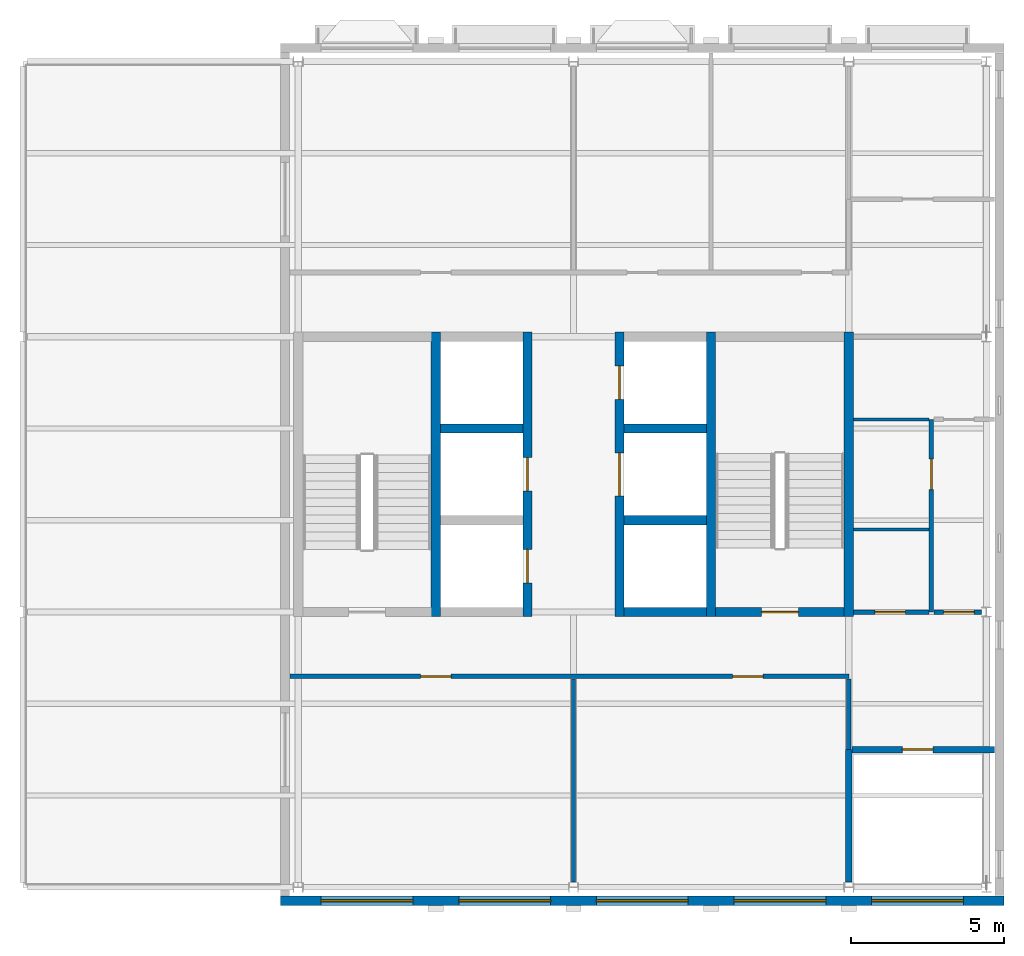
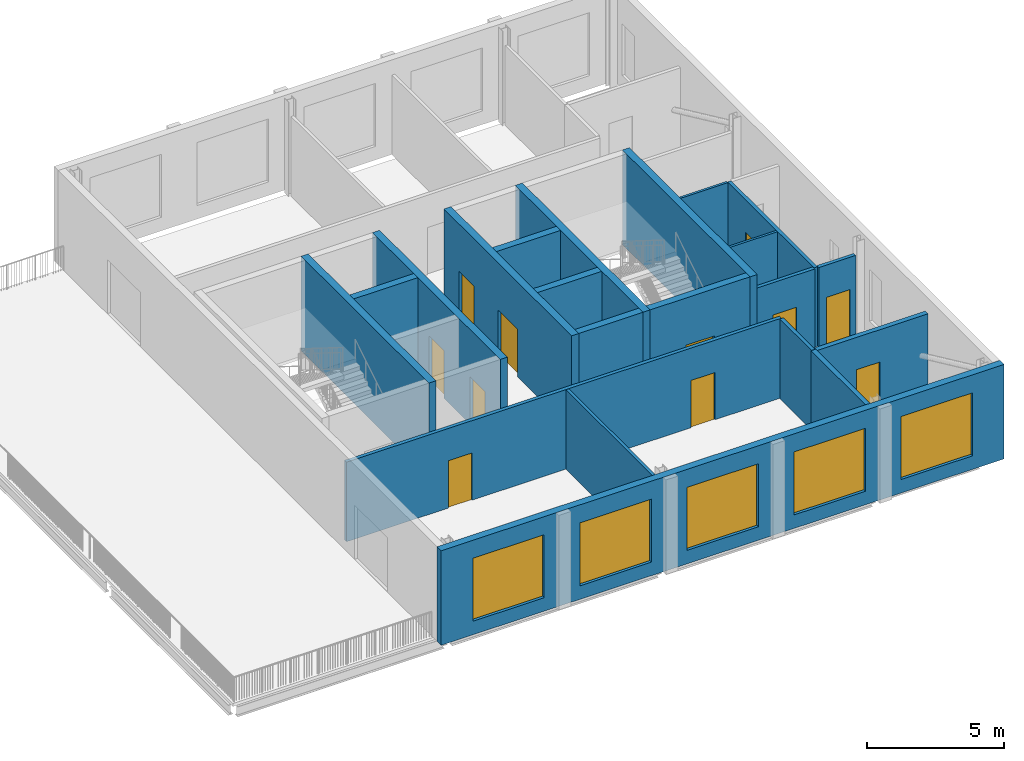
# One storey, part 2 of 7: 21 walls, 11 doors, 5 windows, 16 openings.
"""IFC4 building model written with IfcOpenShell, lengths in metres."""

from ifc_helpers import new_model, si_unit, direction, frame, frame_2d, origin, place, context, subcontext, project, spatial, rectangle, extrude, material, layer, layer_set, type_object, element, fill, save


model = new_model("IFC4")

# Units and contexts
model_context = context("Model", 3, precision=1e-05, world=origin(), true_north=direction((0.0, 1.0)))
body_context = subcontext(model_context, "Body", "Model", "MODEL_VIEW")
ifc_project = project(units=[si_unit("LENGTHUNIT", "METRE"), si_unit("AREAUNIT", "SQUARE_METRE"), si_unit("VOLUMEUNIT", "CUBIC_METRE"), si_unit("PLANEANGLEUNIT", "RADIAN"), si_unit("MASSUNIT", "GRAM", prefix="KILO")], contexts=[model_context])

# Site, building, storey
site_placement = place(None, origin())
site = spatial("IfcSite", under=ifc_project, at=site_placement, CompositionType="ELEMENT")
building_placement = place(site_placement, origin())
building = spatial("IfcBuilding", under=site, at=building_placement, Name="Hortulan Conservatory and Botanical Research Centre", CompositionType="ELEMENT")
storey_placement = place(building_placement, frame((0.0, 0.0, 61.199951171875)))
storey = spatial("IfcBuildingStorey", under=building, at=storey_placement, Name="L14", CompositionType="ELEMENT", Elevation=61.199951171875)

# Wall
ifc_material_1 = material(Name="Fire-rated plasterboard on steel studs", Category="steel")
ifc_layer_1 = layer(ifc_material_1, 0.199951171875)
ifc_layer_set_1 = layer_set([ifc_layer_1], Name="Compartment Partition 200")
wall_type_1 = type_object("IfcWallType", Name="Compartment Partition 200", PredefinedType="PARTITIONING", material=ifc_layer_set_1)
wall_1_placement = place(storey_placement, frame((27.0, 0.17041015625, 0.0), z_axis=(0.0, 0.0, 1.0), x_axis=(0.0, 1.0, 0.0)))
element("IfcWall", 1, at=wall_1_placement, inside=storey, type_object=wall_type_1, Name="Riser wall", PredefinedType="PARTITIONING", context=body_context, shape_type="SweptSolid", body=[
    extrude(rectangle(XDim=4.32958984375, YDim=0.199951171875, at=frame_2d((2.164794921875, 0.0))), origin(), (0.0, 0.0, 1.0), 3.537109375),
])

# Wall, opening, door
wall_2_placement = place(storey_placement, frame((27.110107421875, 4.5, 0.0), z_axis=(0.0, 0.0, 1.0), x_axis=(1.0, 0.0, 0.0)))
wall_2 = element("IfcWall", 2, at=wall_2_placement, inside=storey, type_object=wall_type_1, Name="Riser wall", PredefinedType="PARTITIONING", context=body_context, shape_type="SweptSolid", body=[
    extrude(rectangle(XDim=4.65478515625, YDim=0.199951171875, at=frame_2d((2.327392578125, 0.0))), origin(), (0.0, 0.0, 1.0), 3.537109375),
])
opening_1_placement = place(wall_2_placement, frame((1.639892578125, 0.0, 0.0)))
opening_1 = element("IfcOpeningElement", 3, at=opening_1_placement, cuts=wall_2, Name="Opening DT6", PredefinedType="OPENING", context=body_context, shape_type="SweptSolid", body=[
    extrude(rectangle(XDim=1.0, YDim=2.10009765625, at=frame_2d((0.5, 1.050048828125))), frame((0.0, 0.10986328125, 0.0), z_axis=(0.0, -1.0, 0.0), x_axis=(1.0, 0.0, 0.0)), (0.0, 0.0, 1.0), 0.219970703125),
])
ifc_material_2 = material(Name="Steel door leaf, insulated", Category="steel")
door_type_1 = type_object("IfcDoorType", Name="Fire Door 1000x2100 FRL -/120/30", OperationType="NOTDEFINED", PredefinedType="DOOR", material=ifc_material_2)
door_1_placement = place(opening_1_placement, frame((1.0, 0.0, 0.0), z_axis=(0.0, 0.0, 1.0), x_axis=(-1.0, 0.0, 0.0)))
door_1 = element("IfcDoor", 4, at=door_1_placement, inside=storey, type_object=door_type_1, Name="Door DT6 Services Riser", OperationType="SINGLE_SWING_LEFT", OverallHeight=2.10009765625, OverallWidth=1.0, PredefinedType="DOOR", context=body_context, shape_type="SweptSolid", body=[
    extrude(rectangle(XDim=1.0, YDim=2.10009765625, at=frame_2d((0.5, 1.050048828125))), frame((0.0, 0.02490234375, 0.0), z_axis=(0.0, -1.0, 0.0), x_axis=(1.0, 0.0, 0.0)), (0.0, 0.0, 1.0), 0.050048828125),
])
fill(opening_1, door_1)

# Wall
ifc_material_3 = material(Name="Concrete N40 (40 MPa, AS 3600)", Category="concrete")
ifc_layer_2 = layer(ifc_material_3, 0.300048828125)
ifc_layer_set_2 = layer_set([ifc_layer_2], Name="Core Wall 300 N40 FRL 240/120/120")
wall_type_2 = type_object("IfcWallType", Name="Core Wall 300 N40 FRL 240/120/120", PredefinedType="SHEAR", material=ifc_layer_set_2)
wall_3_placement = place(storey_placement, frame((13.5, 8.85009765625, 0.0), z_axis=(0.0, 0.0, 1.0), x_axis=(0.0, 1.0, 0.0)))
element("IfcWall", 5, at=wall_3_placement, inside=storey, type_object=wall_type_2, Name="Reinforced concrete shaft wall", PredefinedType="SHEAR", context=body_context, shape_type="SweptSolid", body=[
    extrude(rectangle(XDim=9.2998046875, YDim=0.300048828125, at=frame_2d((4.64990234375, 0.0))), origin(), (0.0, 0.0, 1.0), 4.199951171875),
])

# Wall, openings, doors
wall_4_placement = place(storey_placement, frame((16.5, 8.85009765625, 0.0), z_axis=(0.0, 0.0, 1.0), x_axis=(0.0, 1.0, 0.0)))
wall_4 = element("IfcWall", 6, at=wall_4_placement, inside=storey, type_object=wall_type_2, Name="Reinforced concrete shaft wall", PredefinedType="SHEAR", context=body_context, shape_type="SweptSolid", body=[
    extrude(rectangle(XDim=9.2998046875, YDim=0.300048828125, at=frame_2d((4.64990234375, 0.0))), origin(), (0.0, 0.0, 1.0), 4.199951171875),
])
opening_2_placement = place(wall_4_placement, frame((1.10009765625, 0.0, 0.0)))
opening_2 = element("IfcOpeningElement", 7, at=opening_2_placement, cuts=wall_4, Name="Opening LD1", PredefinedType="OPENING", context=body_context, shape_type="SweptSolid", body=[
    extrude(rectangle(XDim=1.10009765625, YDim=2.10009765625, at=frame_2d((0.550048828125, 1.050048828125))), frame((0.0, 0.159912109375, 0.0), z_axis=(0.0, -1.0, 0.0), x_axis=(1.0, 0.0, 0.0)), (0.0, 0.0, 1.0), 0.320068359375),
])
opening_3_placement = place(wall_4_placement, frame((4.10009765625, 0.0, 0.0)))
opening_3 = element("IfcOpeningElement", 8, at=opening_3_placement, cuts=wall_4, Name="Opening LD1", PredefinedType="OPENING", context=body_context, shape_type="SweptSolid", body=[
    extrude(rectangle(XDim=1.10009765625, YDim=2.10009765625, at=frame_2d((0.550048828125, 1.050048828125))), frame((0.0, 0.159912109375, 0.0), z_axis=(0.0, -1.0, 0.0), x_axis=(1.0, 0.0, 0.0)), (0.0, 0.0, 1.0), 0.320068359375),
])
ifc_material_4 = material(Name="Stainless steel door leaves in steel frame", Category="steel")
door_type_2 = type_object("IfcDoorType", Name="Lift Landing Door 1100x2100", OperationType="DOUBLE_DOOR_SLIDING", PredefinedType="DOOR", material=ifc_material_4)
door_2_placement = place(opening_2_placement, origin())
door_2 = element("IfcDoor", 9, at=door_2_placement, inside=storey, type_object=door_type_2, Name="Lift LP1 landing door L14", OperationType="DOUBLE_DOOR_SLIDING", OverallHeight=2.10009765625, OverallWidth=1.10009765625, PredefinedType="DOOR", context=body_context, shape_type="SweptSolid", body=[
    extrude(rectangle(XDim=1.10009765625, YDim=2.10009765625, at=frame_2d((0.550048828125, 1.050048828125))), frame((0.0, 0.02490234375, 0.0), z_axis=(0.0, -1.0, 0.0), x_axis=(1.0, 0.0, 0.0)), (0.0, 0.0, 1.0), 0.050048828125),
])
fill(opening_2, door_2)
door_3_placement = place(opening_3_placement, origin())
door_3 = element("IfcDoor", 10, at=door_3_placement, inside=storey, type_object=door_type_2, Name="Lift LP2 landing door L14", OperationType="DOUBLE_DOOR_SLIDING", OverallHeight=2.10009765625, OverallWidth=1.10009765625, PredefinedType="DOOR", context=body_context, shape_type="SweptSolid", body=[
    extrude(rectangle(XDim=1.10009765625, YDim=2.10009765625, at=frame_2d((0.550048828125, 1.050048828125))), frame((0.0, 0.02490234375, 0.0), z_axis=(0.0, -1.0, 0.0), x_axis=(1.0, 0.0, 0.0)), (0.0, 0.0, 1.0), 0.050048828125),
])
fill(opening_3, door_3)

wall_5_placement = place(storey_placement, frame((19.5, 8.85009765625, 0.0), z_axis=(0.0, 0.0, 1.0), x_axis=(0.0, 1.0, 0.0)))
wall_5 = element("IfcWall", 11, at=wall_5_placement, inside=storey, type_object=wall_type_2, Name="Reinforced concrete shaft wall", PredefinedType="SHEAR", context=body_context, shape_type="SweptSolid", body=[
    extrude(rectangle(XDim=9.2998046875, YDim=0.300048828125, at=frame_2d((4.64990234375, 0.0))), origin(), (0.0, 0.0, 1.0), 4.199951171875),
])
opening_4_placement = place(wall_5_placement, frame((3.949951171875, 0.0, 0.0)))
opening_4 = element("IfcOpeningElement", 12, at=opening_4_placement, cuts=wall_5, Name="Opening LD2", PredefinedType="OPENING", context=body_context, shape_type="SweptSolid", body=[
    extrude(rectangle(XDim=1.39990234375, YDim=2.10009765625, at=frame_2d((0.699951171875, 1.050048828125))), frame((0.0, 0.159912109375, 0.0), z_axis=(0.0, -1.0, 0.0), x_axis=(1.0, 0.0, 0.0)), (0.0, 0.0, 1.0), 0.320068359375),
])
opening_5_placement = place(wall_5_placement, frame((7.10009765625, 0.0, 0.0)))
opening_5 = element("IfcOpeningElement", 13, at=opening_5_placement, cuts=wall_5, Name="Opening LD1", PredefinedType="OPENING", context=body_context, shape_type="SweptSolid", body=[
    extrude(rectangle(XDim=1.10009765625, YDim=2.10009765625, at=frame_2d((0.550048828125, 1.050048828125))), frame((0.0, 0.159912109375, 0.0), z_axis=(0.0, -1.0, 0.0), x_axis=(1.0, 0.0, 0.0)), (0.0, 0.0, 1.0), 0.320068359375),
])
door_4_placement = place(opening_5_placement, origin())
door_4 = element("IfcDoor", 14, at=door_4_placement, inside=storey, type_object=door_type_2, Name="Lift LF1 landing door L14", OperationType="DOUBLE_DOOR_SLIDING", OverallHeight=2.10009765625, OverallWidth=1.10009765625, PredefinedType="DOOR", context=body_context, shape_type="SweptSolid", body=[
    extrude(rectangle(XDim=1.10009765625, YDim=2.10009765625, at=frame_2d((0.550048828125, 1.050048828125))), frame((0.0, 0.02490234375, 0.0), z_axis=(0.0, -1.0, 0.0), x_axis=(1.0, 0.0, 0.0)), (0.0, 0.0, 1.0), 0.050048828125),
])
fill(opening_5, door_4)
door_type_3 = type_object("IfcDoorType", Name="Lift Landing Door 1400x2100", OperationType="DOUBLE_DOOR_SLIDING", PredefinedType="DOOR", material=ifc_material_4)
door_5_placement = place(opening_4_placement, origin())
door_5 = element("IfcDoor", 15, at=door_5_placement, inside=storey, type_object=door_type_3, Name="Lift LG1 landing door L14", OperationType="DOUBLE_DOOR_SLIDING", OverallHeight=2.10009765625, OverallWidth=1.39990234375, PredefinedType="DOOR", context=body_context, shape_type="SweptSolid", body=[
    extrude(rectangle(XDim=1.39990234375, YDim=2.10009765625, at=frame_2d((0.699951171875, 1.050048828125))), frame((0.0, 0.02490234375, 0.0), z_axis=(0.0, -1.0, 0.0), x_axis=(1.0, 0.0, 0.0)), (0.0, 0.0, 1.0), 0.050048828125),
])
fill(opening_4, door_5)

# Walls
for number, where, z_axis, x_axis, name in (
    (16, (22.5, 8.85009765625, 0.0), (0.0, 0.0, 1.0), (0.0, 1.0, 0.0), "Reinforced concrete shaft wall"),
    (17, (27.0, 8.85009765625, 0.0), (0.0, 0.0, 1.0), (0.0, 1.0, 0.0), "Reinforced concrete shaft wall"),
):
    element("IfcWall", number, at=place(storey_placement, frame(where, z_axis=z_axis, x_axis=x_axis)), inside=storey, type_object=wall_type_2, Name=name, PredefinedType="SHEAR", context=body_context, shape_type="SweptSolid", body=[
        extrude(rectangle(XDim=9.2998046875, YDim=0.300048828125, at=frame_2d((4.64990234375, 0.0))), origin(), (0.0, 0.0, 1.0), 4.199951171875),
    ])
wall_6_placement = place(storey_placement, frame((19.64990234375, 9.0, 0.0), z_axis=(0.0, 0.0, 1.0), x_axis=(1.0, 0.0, 0.0)))
element("IfcWall", 18, at=wall_6_placement, inside=storey, type_object=wall_type_2, Name="Reinforced concrete shaft wall", PredefinedType="SHEAR", context=body_context, shape_type="SweptSolid", body=[
    extrude(rectangle(XDim=2.7001953125, YDim=0.300048828125, at=frame_2d((1.35009765625, 0.0))), origin(), (0.0, 0.0, 1.0), 4.199951171875),
])

# Wall, opening, door
wall_7_placement = place(storey_placement, frame((22.64990234375, 9.0, 0.0), z_axis=(0.0, 0.0, 1.0), x_axis=(1.0, 0.0, 0.0)))
wall_7 = element("IfcWall", 19, at=wall_7_placement, inside=storey, type_object=wall_type_2, Name="Reinforced concrete shaft wall", PredefinedType="SHEAR", context=body_context, shape_type="SweptSolid", body=[
    extrude(rectangle(XDim=4.2001953125, YDim=0.300048828125, at=frame_2d((2.10009765625, 0.0))), origin(), (0.0, 0.0, 1.0), 4.199951171875),
])
opening_6_placement = place(wall_7_placement, frame((1.5, 0.0, 0.0)))
opening_6 = element("IfcOpeningElement", 20, at=opening_6_placement, cuts=wall_7, Name="Opening DT5", PredefinedType="OPENING", context=body_context, shape_type="SweptSolid", body=[
    extrude(rectangle(XDim=1.199951171875, YDim=2.10009765625, at=frame_2d((0.60009765625, 1.050048828125))), frame((0.0, 0.159912109375, 0.0), z_axis=(0.0, -1.0, 0.0), x_axis=(1.0, 0.0, 0.0)), (0.0, 0.0, 1.0), 0.320068359375),
])
door_type_4 = type_object("IfcDoorType", Name="Stair Door 1200x2100 FRL -/120/30", OperationType="NOTDEFINED", PredefinedType="DOOR", material=ifc_material_2)
door_6_placement = place(opening_6_placement, origin())
door_6 = element("IfcDoor", 21, at=door_6_placement, inside=storey, type_object=door_type_4, Name="Door DT5 Exit Stair T2", OperationType="SINGLE_SWING_LEFT", OverallHeight=2.10009765625, OverallWidth=1.199951171875, PredefinedType="DOOR", context=body_context, shape_type="SweptSolid", body=[
    extrude(rectangle(XDim=1.199951171875, YDim=2.10009765625, at=frame_2d((0.60009765625, 1.050048828125))), frame((0.0, 0.02490234375, 0.0), z_axis=(0.0, -1.0, 0.0), x_axis=(1.0, 0.0, 0.0)), (0.0, 0.0, 1.0), 0.050048828125),
])
fill(opening_6, door_6)

# Walls
for number, where, z_axis, x_axis, name in (
    (22, (19.64990234375, 12.0, 0.0), (0.0, 0.0, 1.0), (1.0, 0.0, 0.0), "Reinforced concrete shaft wall"),
    (23, (13.64990234375, 15.0, 0.0), (0.0, 0.0, 1.0), (1.0, 0.0, 0.0), "Reinforced concrete shaft wall"),
    (24, (19.64990234375, 15.0, 0.0), (0.0, 0.0, 1.0), (1.0, 0.0, 0.0), "Reinforced concrete shaft wall"),
):
    element("IfcWall", number, at=place(storey_placement, frame(where, z_axis=z_axis, x_axis=x_axis)), inside=storey, type_object=wall_type_2, Name=name, PredefinedType="SHEAR", context=body_context, shape_type="SweptSolid", body=[
        extrude(rectangle(XDim=2.7001953125, YDim=0.300048828125, at=frame_2d((1.35009765625, 0.0))), origin(), (0.0, 0.0, 1.0), 4.199951171875),
    ])
ifc_material_5 = material(Name="Plasterboard on steel studs", Category="steel")
ifc_layer_3 = layer(ifc_material_5, 0.14990234375)
ifc_layer_set_3 = layer_set([ifc_layer_3], Name="Corridor Partition 150")
wall_type_3 = type_object("IfcWallType", Name="Corridor Partition 150", PredefinedType="PARTITIONING", material=ifc_layer_set_3)
wall_8_placement = place(storey_placement, frame((27.0, 4.510009765625, 0.0), z_axis=(0.0, 0.0, 1.0), x_axis=(0.0, 1.0, 0.0)))
element("IfcWall", 25, at=wall_8_placement, inside=storey, type_object=wall_type_3, Name="Corridor partition", PredefinedType="PARTITIONING", context=body_context, shape_type="SweptSolid", body=[
    extrude(rectangle(XDim=2.304931640625, YDim=0.14990234375, at=frame_2d((1.15234375, 0.0))), origin(), (0.0, 0.0, 1.0), 3.537109375),
])

# Wall, openings, doors
wall_9_placement = place(storey_placement, frame((8.72412109375, 6.89990234375, 0.0), z_axis=(0.0, 0.0, 1.0), x_axis=(1.0, 0.0, 0.0)))
wall_9 = element("IfcWall", 26, at=wall_9_placement, inside=storey, type_object=wall_type_3, Name="Corridor partition", PredefinedType="PARTITIONING", context=body_context, shape_type="SweptSolid", body=[
    extrude(rectangle(XDim=18.27587890625, YDim=0.14990234375, at=frame_2d((9.137939453125, 0.0))), origin(), (0.0, 0.0, 1.0), 3.537109375),
])
opening_7_placement = place(wall_9_placement, frame((4.27587890625, 0.0, 0.0)))
opening_7 = element("IfcOpeningElement", 27, at=opening_7_placement, cuts=wall_9, Name="Opening DT1", PredefinedType="OPENING", context=body_context, shape_type="SweptSolid", body=[
    extrude(rectangle(XDim=1.0, YDim=2.10009765625, at=frame_2d((0.5, 1.050048828125))), frame((0.0, 0.0849609375, 0.0), z_axis=(0.0, -1.0, 0.0), x_axis=(1.0, 0.0, 0.0)), (0.0, 0.0, 1.0), 0.169921875),
])
opening_8_placement = place(wall_9_placement, frame((14.47607421875, 0.0, 0.0)))
opening_8 = element("IfcOpeningElement", 28, at=opening_8_placement, cuts=wall_9, Name="Opening DT1", PredefinedType="OPENING", context=body_context, shape_type="SweptSolid", body=[
    extrude(rectangle(XDim=1.0, YDim=2.10009765625, at=frame_2d((0.5, 1.050048828125))), frame((0.0, 0.0849609375, 0.0), z_axis=(0.0, -1.0, 0.0), x_axis=(1.0, 0.0, 0.0)), (0.0, 0.0, 1.0), 0.169921875),
])
ifc_material_6 = material(Name="Timber door leaf in timber frame", Category="wood")
door_type_5 = type_object("IfcDoorType", Name="Single Door 1000x2100", OperationType="NOTDEFINED", PredefinedType="DOOR", material=ifc_material_6)
door_7_placement = place(opening_7_placement, frame((1.0, 0.0, 0.0), z_axis=(0.0, 0.0, 1.0), x_axis=(-1.0, 0.0, 0.0)))
door_7 = element("IfcDoor", 29, at=door_7_placement, inside=storey, type_object=door_type_5, Name="Door DT1 Scientists' Open Office", OperationType="SINGLE_SWING_RIGHT", OverallHeight=2.10009765625, OverallWidth=1.0, PredefinedType="DOOR", context=body_context, shape_type="SweptSolid", body=[
    extrude(rectangle(XDim=1.0, YDim=2.10009765625, at=frame_2d((0.5, 1.050048828125))), frame((0.0, 0.02490234375, 0.0), z_axis=(0.0, -1.0, 0.0), x_axis=(1.0, 0.0, 0.0)), (0.0, 0.0, 1.0), 0.050048828125),
])
fill(opening_7, door_7)
door_8_placement = place(opening_8_placement, frame((1.0, 0.0, 0.0), z_axis=(0.0, 0.0, 1.0), x_axis=(-1.0, 0.0, 0.0)))
door_8 = element("IfcDoor", 30, at=door_8_placement, inside=storey, type_object=door_type_5, Name="Door DT1 Research Group Office", OperationType="SINGLE_SWING_LEFT", OverallHeight=2.10009765625, OverallWidth=1.0, PredefinedType="DOOR", context=body_context, shape_type="SweptSolid", body=[
    extrude(rectangle(XDim=1.0, YDim=2.10009765625, at=frame_2d((0.5, 1.050048828125))), frame((0.0, 0.02490234375, 0.0), z_axis=(0.0, -1.0, 0.0), x_axis=(1.0, 0.0, 0.0)), (0.0, 0.0, 1.0), 0.050048828125),
])
fill(opening_8, door_8)

# Wall, opening, door
wall_10_placement = place(storey_placement, frame((27.159912109375, 9.0, 0.0), z_axis=(0.0, 0.0, 1.0), x_axis=(1.0, 0.0, 0.0)))
wall_10 = element("IfcWall", 31, at=wall_10_placement, inside=storey, type_object=wall_type_3, Name="Corridor partition", PredefinedType="PARTITIONING", context=body_context, shape_type="SweptSolid", body=[
    extrude(rectangle(XDim=2.455078125, YDim=0.14990234375, at=frame_2d((1.2275390625, 0.0))), origin(), (0.0, 0.0, 1.0), 3.537109375),
])
opening_9_placement = place(wall_10_placement, frame((0.68994140625, 0.0, 0.0)))
opening_9 = element("IfcOpeningElement", 32, at=opening_9_placement, cuts=wall_10, Name="Opening DT1", PredefinedType="OPENING", context=body_context, shape_type="SweptSolid", body=[
    extrude(rectangle(XDim=1.0, YDim=2.10009765625, at=frame_2d((0.5, 1.050048828125))), frame((0.0, 0.0849609375, 0.0), z_axis=(0.0, -1.0, 0.0), x_axis=(1.0, 0.0, 0.0)), (0.0, 0.0, 1.0), 0.169921875),
])
door_9_placement = place(opening_9_placement, origin())
door_9 = element("IfcDoor", 33, at=door_9_placement, inside=storey, type_object=door_type_5, Name="Door DT1 Accessible WC", OperationType="SINGLE_SWING_RIGHT", OverallHeight=2.10009765625, OverallWidth=1.0, PredefinedType="DOOR", context=body_context, shape_type="SweptSolid", body=[
    extrude(rectangle(XDim=1.0, YDim=2.10009765625, at=frame_2d((0.5, 1.050048828125))), frame((0.0, 0.02490234375, 0.0), z_axis=(0.0, -1.0, 0.0), x_axis=(1.0, 0.0, 0.0)), (0.0, 0.0, 1.0), 0.050048828125),
])
fill(opening_9, door_9)

ifc_layer_4 = layer(ifc_material_1, 0.14990234375)
ifc_layer_set_4 = layer_set([ifc_layer_4], Name="Lobby Partition 150")
wall_type_4 = type_object("IfcWallType", Name="Lobby Partition 150", PredefinedType="PARTITIONING", material=ifc_layer_set_4)
wall_11_placement = place(storey_placement, frame((29.699951171875, 9.0, 0.0), z_axis=(0.0, 0.0, 1.0), x_axis=(0.0, 1.0, 0.0)))
wall_11 = element("IfcWall", 34, at=wall_11_placement, inside=storey, type_object=wall_type_4, Name="Lobby partition", PredefinedType="PARTITIONING", context=body_context, shape_type="SweptSolid", body=[
    extrude(rectangle(XDim=6.300048828125, YDim=0.14990234375, at=frame_2d((3.14990234375, 0.0))), origin(), (0.0, 0.0, 1.0), 3.537109375),
])
opening_10_placement = place(wall_11_placement, frame((4.0, 0.0, 0.0)))
opening_10 = element("IfcOpeningElement", 35, at=opening_10_placement, cuts=wall_11, Name="Opening DT4", PredefinedType="OPENING", context=body_context, shape_type="SweptSolid", body=[
    extrude(rectangle(XDim=1.0, YDim=2.10009765625, at=frame_2d((0.5, 1.050048828125))), frame((0.0, 0.0849609375, 0.0), z_axis=(0.0, -1.0, 0.0), x_axis=(1.0, 0.0, 0.0)), (0.0, 0.0, 1.0), 0.169921875),
])
door_type_6 = type_object("IfcDoorType", Name="Fire Door 1000x2100 FRL -/60/30", OperationType="NOTDEFINED", PredefinedType="DOOR", material=ifc_material_2)
door_10_placement = place(opening_10_placement, origin())
door_10 = element("IfcDoor", 36, at=door_10_placement, inside=storey, type_object=door_type_6, Name="Door DT4 Women's WC", OperationType="SINGLE_SWING_LEFT", OverallHeight=2.10009765625, OverallWidth=1.0, PredefinedType="DOOR", context=body_context, shape_type="SweptSolid", body=[
    extrude(rectangle(XDim=1.0, YDim=2.10009765625, at=frame_2d((0.5, 1.050048828125))), frame((0.0, 0.02490234375, 0.0), z_axis=(0.0, -1.0, 0.0), x_axis=(1.0, 0.0, 0.0)), (0.0, 0.0, 1.0), 0.050048828125),
])
fill(opening_10, door_10)

wall_12_placement = place(storey_placement, frame((29.784912109375, 9.0, 0.0), z_axis=(0.0, 0.0, 1.0), x_axis=(1.0, 0.0, 0.0)))
wall_12 = element("IfcWall", 37, at=wall_12_placement, inside=storey, type_object=wall_type_4, Name="Lobby partition", PredefinedType="PARTITIONING", context=body_context, shape_type="SweptSolid", body=[
    extrude(rectangle(XDim=1.550537109375, YDim=0.14990234375, at=frame_2d((0.775390625, 0.0))), origin(), (0.0, 0.0, 1.0), 3.537109375),
])
opening_11_placement = place(wall_12_placement, frame((0.31494140625, 0.0, 0.0)))
opening_11 = element("IfcOpeningElement", 38, at=opening_11_placement, cuts=wall_12, Name="Opening DT4", PredefinedType="OPENING", context=body_context, shape_type="SweptSolid", body=[
    extrude(rectangle(XDim=1.0, YDim=2.10009765625, at=frame_2d((0.5, 1.050048828125))), frame((0.0, 0.0849609375, 0.0), z_axis=(0.0, -1.0, 0.0), x_axis=(1.0, 0.0, 0.0)), (0.0, 0.0, 1.0), 0.169921875),
])
door_11_placement = place(opening_11_placement, origin())
door_11 = element("IfcDoor", 39, at=door_11_placement, inside=storey, type_object=door_type_6, Name="Door DT4 WC Lobby", OperationType="SINGLE_SWING_LEFT", OverallHeight=2.10009765625, OverallWidth=1.0, PredefinedType="DOOR", context=body_context, shape_type="SweptSolid", body=[
    extrude(rectangle(XDim=1.0, YDim=2.10009765625, at=frame_2d((0.5, 1.050048828125))), frame((0.0, 0.02490234375, 0.0), z_axis=(0.0, -1.0, 0.0), x_axis=(1.0, 0.0, 0.0)), (0.0, 0.0, 1.0), 0.050048828125),
])
fill(opening_11, door_11)

# Wall
ifc_layer_5 = layer(ifc_material_5, 0.125)
ifc_layer_set_5 = layer_set([ifc_layer_5], Name="Partition 125")
wall_type_5 = type_object("IfcWallType", Name="Partition 125", PredefinedType="PARTITIONING", material=ifc_layer_set_5)
wall_13_placement = place(storey_placement, frame((18.0, 0.17041015625, 0.0), z_axis=(0.0, 0.0, 1.0), x_axis=(0.0, 1.0, 0.0)))
element("IfcWall", 40, at=wall_13_placement, inside=storey, type_object=wall_type_5, Name="Partition", PredefinedType="PARTITIONING", context=body_context, shape_type="SweptSolid", body=[
    extrude(rectangle(XDim=6.64453125, YDim=0.125, at=frame_2d((3.322265625, 0.0))), origin(), (0.0, 0.0, 1.0), 3.537109375),
])

# Wall, openings, windows
ifc_material_7 = material(Name="Verdigris copper-green zinc cladding on lightweight framing", Category="metal")
ifc_layer_6 = layer(ifc_material_7, 0.300048828125)
ifc_layer_set_6 = layer_set([ifc_layer_6], Name="Verdigris Zinc Clad Wall 300")
wall_type_6 = type_object("IfcWallType", Name="Verdigris Zinc Clad Wall 300", PredefinedType="STANDARD", material=ifc_layer_set_6)
wall_14_placement = place(storey_placement, frame((32.074951171875, -0.43603515625, 0.0), z_axis=(0.0, 0.0, 1.0), x_axis=(-1.0, 0.0, 0.0)))
wall_14 = element("IfcWall", 41, at=wall_14_placement, inside=storey, type_object=wall_type_6, Name="E-EW-TW-L14-S1", PredefinedType="STANDARD", context=body_context, shape_type="SweptSolid", body=[
    extrude(rectangle(XDim=23.660888671875, YDim=0.300048828125, at=frame_2d((11.83056640625, 0.0))), origin(), (0.0, 0.0, 1.0), 4.199951171875),
])
opening_12_placement = place(wall_14_placement, frame((19.324951171875, 0.0, 0.60009765625)))
opening_12 = element("IfcOpeningElement", 42, at=opening_12_placement, cuts=wall_14, Name="Opening W6", PredefinedType="OPENING", context=body_context, shape_type="SweptSolid", body=[
    extrude(rectangle(XDim=3.0, YDim=2.800048828125, at=frame_2d((1.5, 1.39990234375))), frame((0.0, 0.159912109375, 0.0), z_axis=(0.0, -1.0, 0.0), x_axis=(1.0, 0.0, 0.0)), (0.0, 0.0, 1.0), 0.320068359375),
])
opening_13_placement = place(wall_14_placement, frame((14.824951171875, 0.0, 0.60009765625)))
opening_13 = element("IfcOpeningElement", 43, at=opening_13_placement, cuts=wall_14, Name="Opening W6", PredefinedType="OPENING", context=body_context, shape_type="SweptSolid", body=[
    extrude(rectangle(XDim=3.0, YDim=2.800048828125, at=frame_2d((1.5, 1.39990234375))), frame((0.0, 0.159912109375, 0.0), z_axis=(0.0, -1.0, 0.0), x_axis=(1.0, 0.0, 0.0)), (0.0, 0.0, 1.0), 0.320068359375),
])
opening_14_placement = place(wall_14_placement, frame((10.324951171875, 0.0, 0.60009765625)))
opening_14 = element("IfcOpeningElement", 44, at=opening_14_placement, cuts=wall_14, Name="Opening W6", PredefinedType="OPENING", context=body_context, shape_type="SweptSolid", body=[
    extrude(rectangle(XDim=3.0, YDim=2.800048828125, at=frame_2d((1.5, 1.39990234375))), frame((0.0, 0.159912109375, 0.0), z_axis=(0.0, -1.0, 0.0), x_axis=(1.0, 0.0, 0.0)), (0.0, 0.0, 1.0), 0.320068359375),
])
opening_15_placement = place(wall_14_placement, frame((5.824951171875, 0.0, 0.60009765625)))
opening_15 = element("IfcOpeningElement", 45, at=opening_15_placement, cuts=wall_14, Name="Opening W6", PredefinedType="OPENING", context=body_context, shape_type="SweptSolid", body=[
    extrude(rectangle(XDim=3.0, YDim=2.800048828125, at=frame_2d((1.5, 1.39990234375))), frame((0.0, 0.159912109375, 0.0), z_axis=(0.0, -1.0, 0.0), x_axis=(1.0, 0.0, 0.0)), (0.0, 0.0, 1.0), 0.320068359375),
])
opening_16_placement = place(wall_14_placement, frame((1.324951171875, 0.0, 0.60009765625)))
opening_16 = element("IfcOpeningElement", 46, at=opening_16_placement, cuts=wall_14, Name="Opening W6", PredefinedType="OPENING", context=body_context, shape_type="SweptSolid", body=[
    extrude(rectangle(XDim=3.0, YDim=2.800048828125, at=frame_2d((1.5, 1.39990234375))), frame((0.0, 0.159912109375, 0.0), z_axis=(0.0, -1.0, 0.0), x_axis=(1.0, 0.0, 0.0)), (0.0, 0.0, 1.0), 0.320068359375),
])
ifc_material_8 = material(Name="Bronze-finished aluminium frame with low-e laminated double glazing", Category="aluminium")
window_type = type_object("IfcWindowType", Name="Attic Window 3000x2800", PartitioningType="SINGLE_PANEL", PredefinedType="WINDOW", material=ifc_material_8)
window_1_placement = place(opening_12_placement, origin())
window_1 = element("IfcWindow", 47, at=window_1_placement, inside=storey, type_object=window_type, Name="Attic window", OverallHeight=2.800048828125, OverallWidth=3.0, PartitioningType="SINGLE_PANEL", PredefinedType="WINDOW", context=body_context, shape_type="SweptSolid", body=[
    extrude(rectangle(XDim=3.0, YDim=2.800048828125, at=frame_2d((1.5, 1.39990234375))), frame((0.0, 0.030029296875, 0.0), z_axis=(0.0, -1.0, 0.0), x_axis=(1.0, 0.0, 0.0)), (0.0, 0.0, 1.0), 0.06005859375),
])
fill(opening_12, window_1)
window_2_placement = place(opening_13_placement, origin())
window_2 = element("IfcWindow", 48, at=window_2_placement, inside=storey, type_object=window_type, Name="Attic window", OverallHeight=2.800048828125, OverallWidth=3.0, PartitioningType="SINGLE_PANEL", PredefinedType="WINDOW", context=body_context, shape_type="SweptSolid", body=[
    extrude(rectangle(XDim=3.0, YDim=2.800048828125, at=frame_2d((1.5, 1.39990234375))), frame((0.0, 0.030029296875, 0.0), z_axis=(0.0, -1.0, 0.0), x_axis=(1.0, 0.0, 0.0)), (0.0, 0.0, 1.0), 0.06005859375),
])
fill(opening_13, window_2)
window_3_placement = place(opening_14_placement, origin())
window_3 = element("IfcWindow", 49, at=window_3_placement, inside=storey, type_object=window_type, Name="Attic window", OverallHeight=2.800048828125, OverallWidth=3.0, PartitioningType="SINGLE_PANEL", PredefinedType="WINDOW", context=body_context, shape_type="SweptSolid", body=[
    extrude(rectangle(XDim=3.0, YDim=2.800048828125, at=frame_2d((1.5, 1.39990234375))), frame((0.0, 0.030029296875, 0.0), z_axis=(0.0, -1.0, 0.0), x_axis=(1.0, 0.0, 0.0)), (0.0, 0.0, 1.0), 0.06005859375),
])
fill(opening_14, window_3)
window_4_placement = place(opening_15_placement, origin())
window_4 = element("IfcWindow", 50, at=window_4_placement, inside=storey, type_object=window_type, Name="Attic window", OverallHeight=2.800048828125, OverallWidth=3.0, PartitioningType="SINGLE_PANEL", PredefinedType="WINDOW", context=body_context, shape_type="SweptSolid", body=[
    extrude(rectangle(XDim=3.0, YDim=2.800048828125, at=frame_2d((1.5, 1.39990234375))), frame((0.0, 0.030029296875, 0.0), z_axis=(0.0, -1.0, 0.0), x_axis=(1.0, 0.0, 0.0)), (0.0, 0.0, 1.0), 0.06005859375),
])
fill(opening_15, window_4)
window_5_placement = place(opening_16_placement, origin())
window_5 = element("IfcWindow", 51, at=window_5_placement, inside=storey, type_object=window_type, Name="Attic window", OverallHeight=2.800048828125, OverallWidth=3.0, PartitioningType="SINGLE_PANEL", PredefinedType="WINDOW", context=body_context, shape_type="SweptSolid", body=[
    extrude(rectangle(XDim=3.0, YDim=2.800048828125, at=frame_2d((1.5, 1.39990234375))), frame((0.0, 0.030029296875, 0.0), z_axis=(0.0, -1.0, 0.0), x_axis=(1.0, 0.0, 0.0)), (0.0, 0.0, 1.0), 0.06005859375),
])
fill(opening_16, window_5)

# Walls
ifc_material_9 = material(Name="Moisture-resistant plasterboard on steel studs", Category="steel")
ifc_layer_7 = layer(ifc_material_9, 0.10009765625)
ifc_layer_set_7 = layer_set([ifc_layer_7], Name="Wet Area Partition 100")
wall_type_7 = type_object("IfcWallType", Name="Wet Area Partition 100", PredefinedType="PARTITIONING", material=ifc_layer_set_7)
for number, where, z_axis, x_axis, name in (
    (52, (27.159912109375, 11.699951171875, 0.0), (0.0, 0.0, 1.0), (1.0, 0.0, 0.0), "Toilet partition"),
    (53, (27.159912109375, 15.300048828125, 0.0), (0.0, 0.0, 1.0), (1.0, 0.0, 0.0), "Toilet partition"),
):
    element("IfcWall", number, at=place(storey_placement, frame(where, z_axis=z_axis, x_axis=x_axis)), inside=storey, type_object=wall_type_7, Name=name, PredefinedType="PARTITIONING", context=body_context, shape_type="SweptSolid", body=[
        extrude(rectangle(XDim=2.455078125, YDim=0.10009765625, at=frame_2d((1.2275390625, 0.0))), origin(), (0.0, 0.0, 1.0), 3.537109375),
    ])

save(model, "model.ifc")
